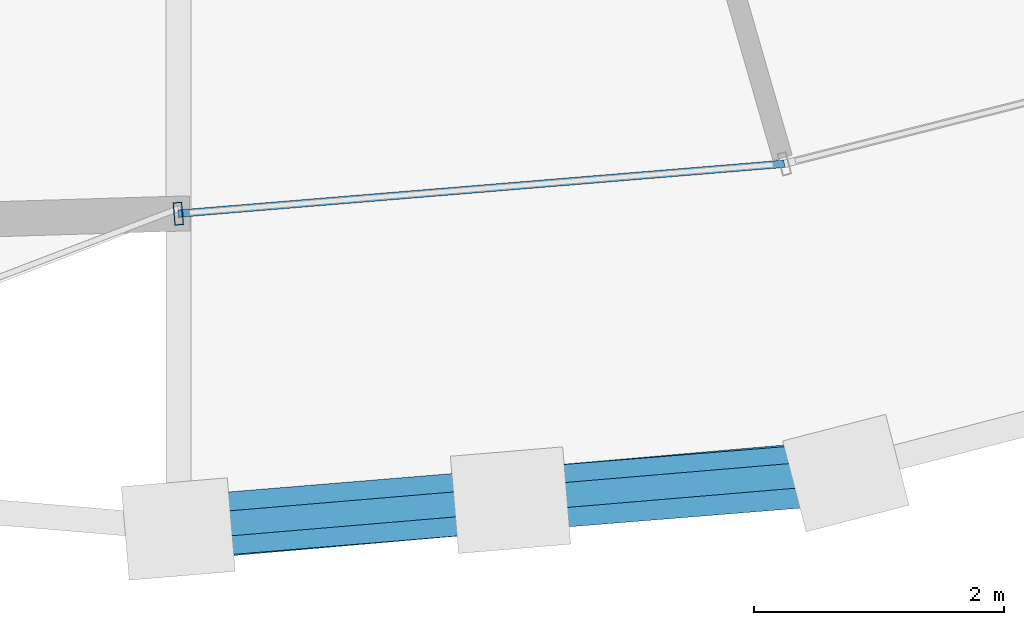
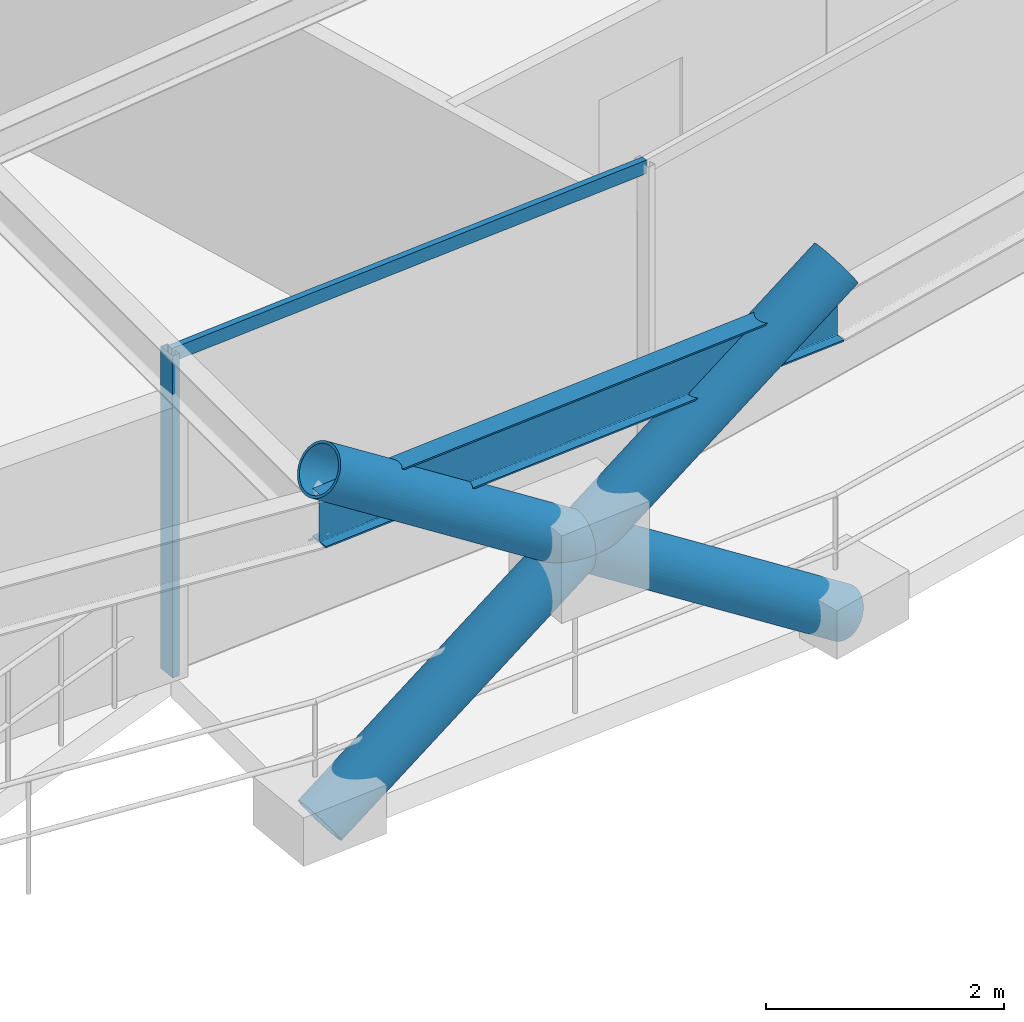
# One storey, part 2 of 16: 5 members, 1 beam, 1 element without a shape of its own.
"""IFC4 building model written with IfcOpenShell, lengths in metres."""

from ifc_helpers import new_model, si_unit, direction, frame, origin, origin_2d, place, context, subcontext, project, spatial, hollow_rectangle, hollow_circle, i_section, extrude, material, layer, layer_set, material_profile, profile_set, type_object, element, aggregate, save


model = new_model("IFC4")

# Units and contexts
model_context = context("Model", 3, precision=1e-05, world=origin(), true_north=direction((0.0, 1.0)))
body_context = subcontext(model_context, "Body", "Model", "MODEL_VIEW")
ifc_project = project(units=[si_unit("LENGTHUNIT", "METRE"), si_unit("AREAUNIT", "SQUARE_METRE"), si_unit("VOLUMEUNIT", "CUBIC_METRE"), si_unit("PLANEANGLEUNIT", "RADIAN"), si_unit("MASSUNIT", "GRAM", prefix="KILO")], contexts=[model_context])

# Site, building, storey
site_placement = place(None, origin())
site = spatial("IfcSite", under=ifc_project, at=site_placement, CompositionType="ELEMENT")
building_placement = place(site_placement, origin())
building = spatial("IfcBuilding", under=site, at=building_placement, Name="Veldorina Hangang Commons", CompositionType="ELEMENT")
storey_placement = place(building_placement, frame((0.0, 0.0, 185.60009765625)))
storey = spatial("IfcBuildingStorey", under=building, at=storey_placement, Name="L48", CompositionType="ELEMENT", Elevation=185.60009765625)

# Beam
ifc_material_1 = material(Name="Steel SM420-TMC", Category="steel")
ifc_material_profile_1 = material_profile(ifc_material_1, i_section(OverallWidth=0.199951171875, OverallDepth=0.5, WebThickness=0.010009765625, FlangeThickness=0.01611328125, FilletRadius=0.01611328125, at=origin_2d()), Name="H-500x200x10x16")
ifc_profile_set_1 = profile_set([ifc_material_profile_1], Name="Steel SM420-TMC")
beam_type = type_object("IfcBeamType", Name="BM-RB500", PredefinedType="BEAM", material=ifc_profile_set_1)
beam_placement = place(storey_placement, frame((32.0, 0.746826171875, 3.099853515625), z_axis=(0.996458060131, 0.084091226656, 0.0), x_axis=(-0.084091226656, 0.996458060131, 0.0)))
element("IfcBeam", 1, at=beam_placement, inside=storey, type_object=beam_type, Name="L48 perimeter hoop ring beam 24", PredefinedType="BEAM", context=body_context, shape_type="SweptSolid", body=[
    extrude(i_section(OverallWidth=0.199951171875, OverallDepth=0.5, WebThickness=0.010009765625, FlangeThickness=0.01611328125, FilletRadius=0.01611328125, at=origin_2d()), origin(), (0.0, 0.0, 1.0), 5.31298828125),
])

# Curtain wall, members
ifc_material_2 = material(Name="Glass Low-E Triple IGU", Category="glass")
ifc_layer = layer(ifc_material_2, 0.179931640625)
ifc_layer_set = layer_set([ifc_layer], Name="Glass Low-E Triple IGU")
curtain_wall_type = type_object("IfcCurtainWallType", Name="CW-SYS-Z2", PredefinedType="NOTDEFINED", material=ifc_layer_set)
curtain_wall_placement = place(storey_placement, origin())
curtain_wall = element("IfcCurtainWall", 2, at=curtain_wall_placement, inside=storey, type_object=curtain_wall_type, Name="L48 unitised curtain wall CW-L48-R1", PredefinedType="NOTDEFINED")
ifc_material_3 = material(Name="Aluminium Anodized AA6063-T6", Category="aluminium")
ifc_material_profile_2 = material_profile(ifc_material_3, hollow_rectangle(XDim=0.070068359375, YDim=0.179931640625, WallThickness=0.00390625, at=origin_2d()), Name="ALU-RHS-180x70x4")
ifc_profile_set_2 = profile_set([ifc_material_profile_2], Name="Aluminium Anodized AA6063-T6")
member_type_1 = type_object("IfcMemberType", Name="CW-MUL-180", PredefinedType="MULLION", material=ifc_profile_set_2)
member_1_placement = place(storey_placement, frame((32.0, 3.25634765625, 0.0), z_axis=(0.0, 0.0, 1.0), x_axis=(0.996630232539, 0.082025481337, 0.0)))
member_1 = element("IfcMember", 3, at=member_1_placement, type_object=member_type_1, Name="CW-L48-R1 vertical mullion 1", PredefinedType="MULLION", context=body_context, shape_type="SweptSolid", body=[
    extrude(hollow_rectangle(XDim=0.070068359375, YDim=0.179931640625, WallThickness=0.00390625, at=origin_2d()), origin(), (0.0, 0.0, 1.0), 3.309814453125),
])
ifc_material_profile_3 = material_profile(ifc_material_3, hollow_rectangle(XDim=0.06005859375, YDim=0.139892578125, WallThickness=0.00341796875, at=origin_2d()), Name="ALU-RHS-140x60x3.5")
ifc_profile_set_3 = profile_set([ifc_material_profile_3], Name="Aluminium Anodized AA6063-T6")
member_type_2 = type_object("IfcMemberType", Name="CW-TRN-140", PredefinedType="USERDEFINED", material=ifc_profile_set_3)
member_2_placement = place(storey_placement, frame((32.0, 3.25634765625, 3.27001953125), z_axis=(0.996628420096, 0.082047500001, 0.0), x_axis=(-0.082047500001, 0.996628420096, 0.0)))
member_2 = element("IfcMember", 4, at=member_2_placement, type_object=member_type_2, Name="CW-L48-R1 facet 1 transom 1", ObjectType="TRANSOM", PredefinedType="USERDEFINED", context=body_context, shape_type="SweptSolid", body=[
    extrude(hollow_rectangle(XDim=0.06005859375, YDim=0.139892578125, WallThickness=0.00341796875, at=origin_2d()), origin(), (0.0, 0.0, 1.0), 4.859130859375),
])
aggregate(curtain_wall, [member_1, member_2])

# Members
ifc_material_profile_4 = material_profile(ifc_material_1, hollow_circle(Radius=0.25, WallThickness=0.02490234375, at=origin_2d()), Name="CHS-500x25")
ifc_profile_set_4 = profile_set([ifc_material_profile_4], Name="Steel SM420-TMC")
member_type_3 = type_object("IfcMemberType", Name="DG-CHS500", PredefinedType="BRACE", material=ifc_profile_set_4)
member_3_placement = place(storey_placement, frame((32.0, 0.736328125, 0.0), z_axis=(0.82449498228, 0.071569423155, 0.561325076818), x_axis=(-0.086478758251, 0.996253694784, 0.0)))
element("IfcMember", 5, at=member_3_placement, inside=storey, type_object=member_type_3, Name="L48 continuous perimeter diagrid brace 24", PredefinedType="BRACE", context=body_context, shape_type="SweptSolid", body=[
    extrude(hollow_circle(Radius=0.25, WallThickness=0.02490234375, at=origin_2d()), origin(), (0.0, 0.0, 1.0), 6.4130859375),
])
member_4_placement = place(storey_placement, frame((37.33447265625, 1.183349609375, 0.0), z_axis=(-0.827056330725, -0.066854913456, 0.55812923804), x_axis=(0.080571965759, -0.996748793997, 0.0)))
element("IfcMember", 6, at=member_4_placement, inside=storey, type_object=member_type_3, Name="L48 split perimeter diagrid lower brace 25", PredefinedType="BRACE", context=body_context, shape_type="SweptSolid", body=[
    extrude(hollow_circle(Radius=0.25, WallThickness=0.02490234375, at=origin_2d()), origin(), (0.0, 0.0, 1.0), 3.2392578125),
])
member_5_placement = place(storey_placement, frame((34.655517578125, 0.966796875, 1.807861328125), z_axis=(-0.827001323945, -0.067972711557, 0.558075730234), x_axis=(0.081915556729, -0.996639273542, 0.0)))
element("IfcMember", 7, at=member_5_placement, inside=storey, type_object=member_type_3, Name="L48 split perimeter diagrid upper brace 25", PredefinedType="BRACE", context=body_context, shape_type="SweptSolid", body=[
    extrude(hollow_circle(Radius=0.25, WallThickness=0.02490234375, at=origin_2d()), origin(), (0.0, 0.0, 1.0), 3.2109375),
])

save(model, "model.ifc")
